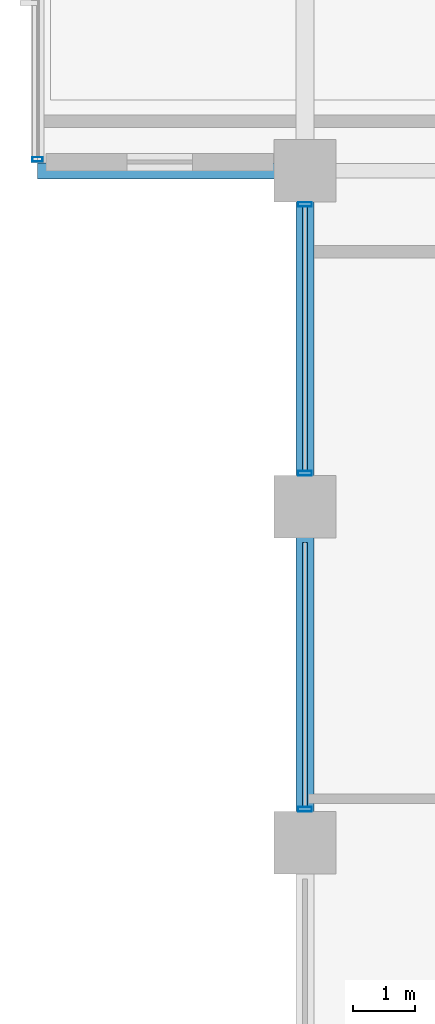
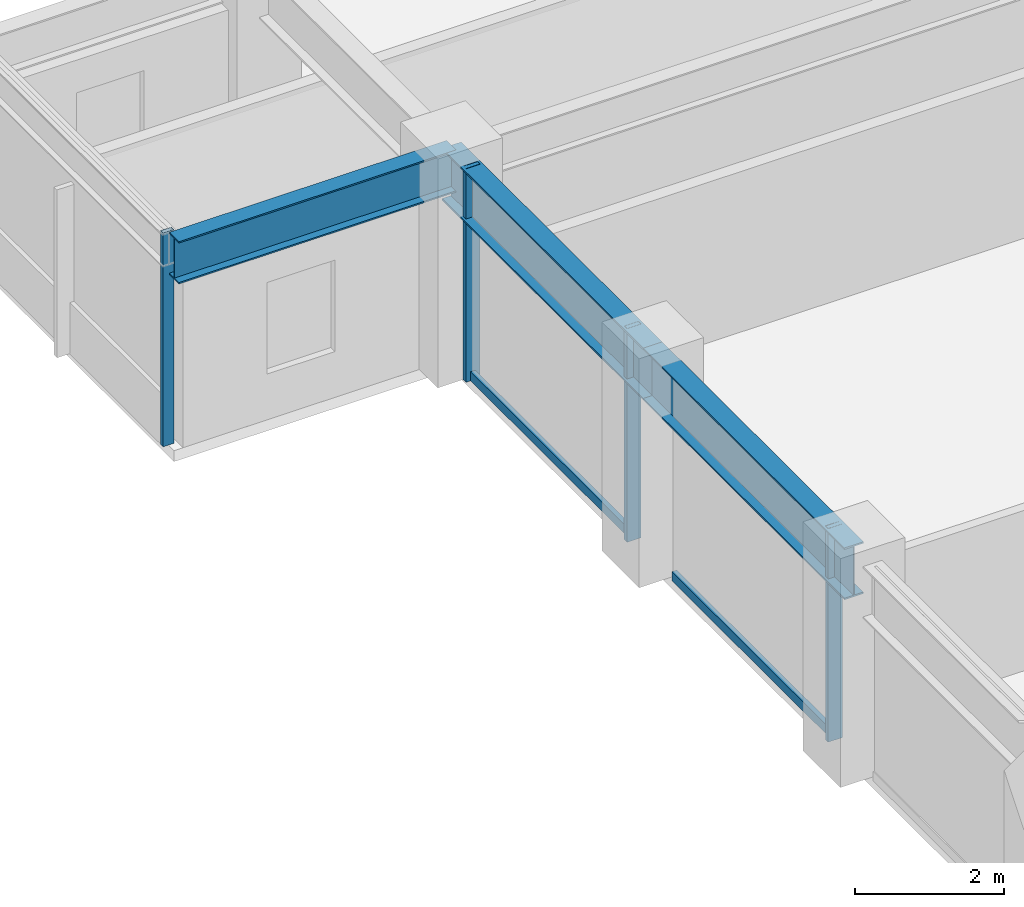
# One storey, part 5 of 29: 6 members, 3 beams, 2 elements without a shape of their own.
"""IFC4 building model written with IfcOpenShell, lengths in metres."""

from ifc_helpers import new_model, si_unit, direction, frame, origin, origin_2d, place, context, subcontext, project, spatial, hollow_rectangle, i_section, extrude, material, layer, layer_set, material_profile, profile_set, type_object, element, aggregate, save


model = new_model("IFC4")

# Units and contexts
model_context = context("Model", 3, precision=1e-05, world=origin(), true_north=direction((0.0, 1.0)))
body_context = subcontext(model_context, "Body", "Model", "MODEL_VIEW")
ifc_project = project(units=[si_unit("LENGTHUNIT", "METRE"), si_unit("AREAUNIT", "SQUARE_METRE"), si_unit("VOLUMEUNIT", "CUBIC_METRE"), si_unit("PLANEANGLEUNIT", "RADIAN"), si_unit("MASSUNIT", "GRAM", prefix="KILO")], contexts=[model_context])

# Site, building, storey
site_placement = place(None, origin())
site = spatial("IfcSite", under=ifc_project, at=site_placement, CompositionType="ELEMENT")
building_placement = place(site_placement, origin())
building = spatial("IfcBuilding", under=site, at=building_placement, Name="Surkhivell Harbour Commons", CompositionType="ELEMENT")
storey_placement = place(building_placement, frame((0.0, 0.0, 158.25)))
storey = spatial("IfcBuildingStorey", under=building, at=storey_placement, Name="L41", CompositionType="ELEMENT", Elevation=158.25)

# Beams
ifc_material_1 = material(Name="Steel S460", Category="steel")
ifc_material_profile_1 = material_profile(ifc_material_1, i_section(OverallWidth=0.256103515625, OverallDepth=0.693115234375, WebThickness=0.014404296875, FlangeThickness=0.023681640625, at=origin_2d()), Name="UB686x254x170")
ifc_profile_set_1 = profile_set([ifc_material_profile_1], Name="Steel S460")
beam_type_1 = type_object("IfcBeamType", Name="BM-CNT-686", PredefinedType="BEAM", material=ifc_profile_set_1)
beam_placement = place(storey_placement, frame((-32.39990234375, 5.39990234375, 3.153564453125), z_axis=(-1.0, 0.0, 0.0), x_axis=(0.0, -1.0, 0.0)))
element("IfcBeam", 1, at=beam_placement, inside=storey, type_object=beam_type_1, Name="L41 Box Cantilever Outrigger (-32.4,5.4)", PredefinedType="BEAM", context=body_context, shape_type="SweptSolid", body=[
    extrude(i_section(OverallWidth=0.256103515625, OverallDepth=0.693115234375, WebThickness=0.014404296875, FlangeThickness=0.023681640625, at=origin_2d()), origin(), (0.0, 0.0, 1.0), 4.300048828125),
])
ifc_material_profile_2 = material_profile(ifc_material_1, i_section(OverallWidth=0.2939453125, OverallDepth=0.85107421875, WebThickness=0.01611328125, FlangeThickness=0.02685546875, at=origin_2d()), Name="UB838x292x226")
ifc_profile_set_2 = profile_set([ifc_material_profile_2], Name="Steel S460")
beam_type_2 = type_object("IfcBeamType", Name="BM-SPN-838", PredefinedType="SPANDREL", material=ifc_profile_set_2)
for number, where, z_axis, x_axis, name in (
    (2, (-32.39990234375, -5.39990234375, 3.074462890625), (0.0, 1.0, 0.0), (-1.0, 0.0, 0.0), "L41 Tube Spandrel (-32.4,-5.4)"),
    (3, (-32.39990234375, 0.0, 3.074462890625), (0.0, 1.0, 0.0), (-1.0, 0.0, 0.0), "L41 Tube Spandrel (-32.4,0.0)"),
):
    element("IfcBeam", number, at=place(storey_placement, frame(where, z_axis=z_axis, x_axis=x_axis)), inside=storey, type_object=beam_type_2, Name=name, PredefinedType="SPANDREL", context=body_context, shape_type="SweptSolid", body=[
        extrude(i_section(OverallWidth=0.2939453125, OverallDepth=0.85107421875, WebThickness=0.01611328125, FlangeThickness=0.02685546875, at=origin_2d()), origin(), (0.0, 0.0, 1.0), 5.39990234375),
    ])

# Curtain wall, member
ifc_material_2 = material(Name="Anodised pale-metal aluminium and insulated glazing", Category="aluminium")
ifc_layer_1 = layer(ifc_material_2, 0.1650390625)
ifc_layer_set_1 = layer_set([ifc_layer_1], Name="Anodised pale-metal aluminium and insulated glazing")
curtain_wall_type_1 = type_object("IfcCurtainWallType", Name="CW-SYS-BOX", PredefinedType="NOTDEFINED", material=ifc_layer_set_1)
curtain_wall_1_placement = place(storey_placement, origin())
curtain_wall_1 = element("IfcCurtainWall", 4, at=curtain_wall_1_placement, inside=storey, type_object=curtain_wall_type_1, Name="L41 Curtain Wall CW-L41-BOX02", PredefinedType="NOTDEFINED")
ifc_material_3 = material(Name="Champagne anodised aluminium alloy 6063-T6", Category="aluminium")
ifc_material_profile_3 = material_profile(ifc_material_3, hollow_rectangle(XDim=0.070068359375, YDim=0.1650390625, WallThickness=0.00341796875, at=origin_2d()), Name="ALU-MULL-70x165")
ifc_profile_set_3 = profile_set([ifc_material_profile_3], Name="Champagne anodised aluminium alloy 6063-T6")
member_type_1 = type_object("IfcMemberType", Name="CWM-165", PredefinedType="MULLION", material=ifc_profile_set_3)
member_1_placement = place(storey_placement, frame((-36.699951171875, 5.5849609375, 0.0), z_axis=(0.0, 0.0, 1.0), x_axis=(0.0, 1.0, 0.0)))
member_1 = element("IfcMember", 5, at=member_1_placement, type_object=member_type_1, Name="CW-BOX mullion 1", PredefinedType="MULLION", context=body_context, shape_type="SweptSolid", body=[
    extrude(hollow_rectangle(XDim=0.070068359375, YDim=0.1650390625, WallThickness=0.00341796875, at=origin_2d()), origin(), (0.0, 0.0, 1.0), 3.5),
])
aggregate(curtain_wall_1, [member_1])

# Curtain wall, members
ifc_layer_2 = layer(ifc_material_2, 0.205078125)
ifc_layer_set_2 = layer_set([ifc_layer_2], Name="Anodised pale-metal aluminium and insulated glazing")
curtain_wall_type_2 = type_object("IfcCurtainWallType", Name="CW-SYS-Z2", PredefinedType="NOTDEFINED", material=ifc_layer_set_2)
curtain_wall_2_placement = place(storey_placement, origin())
curtain_wall_2 = element("IfcCurtainWall", 6, at=curtain_wall_2_placement, inside=storey, type_object=curtain_wall_type_2, Name="L41 Curtain Wall CW-L41-E12R1S2", PredefinedType="NOTDEFINED")
ifc_material_4 = material(Name="Anodised pale-metal aluminium alloy 6063-T6", Category="aluminium")
ifc_material_profile_4 = material_profile(ifc_material_4, hollow_rectangle(XDim=0.074951171875, YDim=0.219970703125, WallThickness=0.00390625, at=origin_2d()), Name="ALU-MULL-75x220")
ifc_profile_set_4 = profile_set([ifc_material_profile_4], Name="Anodised pale-metal aluminium alloy 6063-T6")
member_type_2 = type_object("IfcMemberType", Name="CWM-220", PredefinedType="MULLION", material=ifc_profile_set_4)
member_2_placement = place(storey_placement, frame((-32.39990234375, -4.860595703125, 0.0), z_axis=(0.0, 0.0, 1.0), x_axis=(0.0, 1.0, 0.0)))
member_2 = element("IfcMember", 7, at=member_2_placement, type_object=member_type_2, Name="CW-Z2 mullion 2", PredefinedType="MULLION", context=body_context, shape_type="SweptSolid", body=[
    extrude(hollow_rectangle(XDim=0.074951171875, YDim=0.219970703125, WallThickness=0.00390625, at=origin_2d()), origin(), (0.0, 0.0, 1.0), 3.5),
])
member_3_placement = place(storey_placement, frame((-32.39990234375, 0.53955078125, 0.0), z_axis=(0.0, 0.0, 1.0), x_axis=(0.0, 1.0, 0.0)))
member_3 = element("IfcMember", 8, at=member_3_placement, type_object=member_type_2, Name="CW-Z2 mullion 3", PredefinedType="MULLION", context=body_context, shape_type="SweptSolid", body=[
    extrude(hollow_rectangle(XDim=0.074951171875, YDim=0.219970703125, WallThickness=0.00390625, at=origin_2d()), origin(), (0.0, 0.0, 1.0), 3.5),
])
member_4_placement = place(storey_placement, frame((-32.39990234375, 4.860595703125, 0.0), z_axis=(0.0, 0.0, 1.0), x_axis=(0.0, 1.0, 0.0)))
member_4 = element("IfcMember", 9, at=member_4_placement, type_object=member_type_2, Name="CW-Z2 mullion 4", PredefinedType="MULLION", context=body_context, shape_type="SweptSolid", body=[
    extrude(hollow_rectangle(XDim=0.074951171875, YDim=0.219970703125, WallThickness=0.00390625, at=origin_2d()), origin(), (0.0, 0.0, 1.0), 3.5),
])
ifc_material_profile_5 = material_profile(ifc_material_4, hollow_rectangle(XDim=0.074951171875, YDim=0.14990234375, WallThickness=0.00341796875, at=origin_2d()), Name="ALU-TRAN-75x150")
ifc_profile_set_5 = profile_set([ifc_material_profile_5], Name="Anodised pale-metal aluminium alloy 6063-T6")
member_type_3 = type_object("IfcMemberType", Name="CWT-150", PredefinedType="USERDEFINED", material=ifc_profile_set_5)
member_5_placement = place(storey_placement, frame((-32.39990234375, -4.822998046875, 0.074951171875), z_axis=(0.0, 1.0, 0.0), x_axis=(-1.0, 0.0, 0.0)))
member_5 = element("IfcMember", 10, at=member_5_placement, type_object=member_type_3, Name="CW-Z2 transom 2.1", ObjectType="TRANSOM", PredefinedType="USERDEFINED", context=body_context, shape_type="SweptSolid", body=[
    extrude(hollow_rectangle(XDim=0.074951171875, YDim=0.14990234375, WallThickness=0.00341796875, at=origin_2d()), origin(), (0.0, 0.0, 1.0), 4.24609375),
])
member_6_placement = place(storey_placement, frame((-32.39990234375, 0.576904296875, 0.074951171875), z_axis=(0.0, 1.0, 0.0), x_axis=(-1.0, 0.0, 0.0)))
member_6 = element("IfcMember", 11, at=member_6_placement, type_object=member_type_3, Name="CW-Z2 transom 3.1", ObjectType="TRANSOM", PredefinedType="USERDEFINED", context=body_context, shape_type="SweptSolid", body=[
    extrude(hollow_rectangle(XDim=0.074951171875, YDim=0.14990234375, WallThickness=0.00341796875, at=origin_2d()), origin(), (0.0, 0.0, 1.0), 4.24609375),
])
aggregate(curtain_wall_2, [member_2, member_5, member_3, member_4, member_6])

save(model, "model.ifc")
